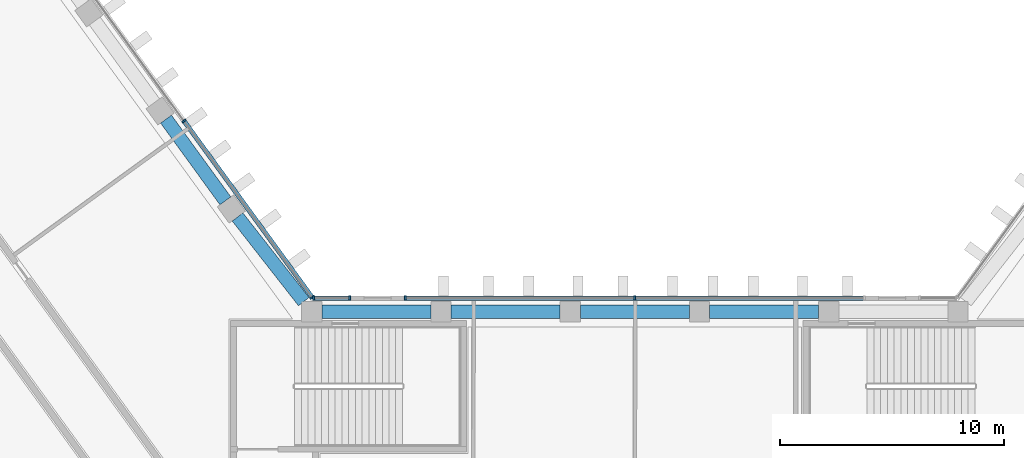
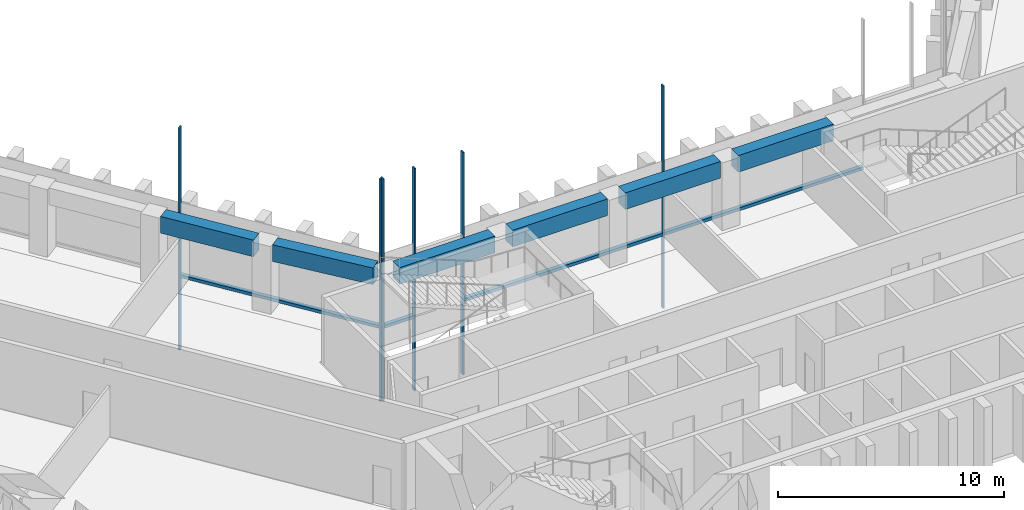
# One storey, part 3 of 18: 10 members, 6 beams, 3 elements without a shape of their own.
"""IFC4 building model written with IfcOpenShell, lengths in metres."""

from ifc_helpers import new_model, si_unit, direction, frame, origin, origin_2d, place, context, subcontext, project, spatial, rectangle, extrude, material, material_profile, profile_set, type_object, element, aggregate, save


model = new_model("IFC4")

# Units and contexts
model_context = context("Model", 3, precision=1e-05, world=origin(), true_north=direction((0.0, 1.0)))
body_context = subcontext(model_context, "Body", "Model", "MODEL_VIEW")
ifc_project = project(units=[si_unit("LENGTHUNIT", "METRE"), si_unit("AREAUNIT", "SQUARE_METRE"), si_unit("VOLUMEUNIT", "CUBIC_METRE"), si_unit("PLANEANGLEUNIT", "RADIAN"), si_unit("MASSUNIT", "GRAM", prefix="KILO")], contexts=[model_context])

# Site, building, storey
site_placement = place(None, origin())
site = spatial("IfcSite", under=ifc_project, at=site_placement, CompositionType="ELEMENT")
building_placement = place(site_placement, origin())
building = spatial("IfcBuilding", under=site, at=building_placement, Name="Quipu Civic Tower", CompositionType="ELEMENT")
storey_placement = place(building_placement, frame((0.0, 0.0, 71.0)))
storey = spatial("IfcBuildingStorey", under=building, at=storey_placement, Name="L16", CompositionType="ELEMENT", Elevation=71.0)

# Curtain wall, members
ifc_material_1 = material(Name="Insulated glass unit", Category="glass")
curtain_wall_type = type_object("IfcCurtainWallType", Name="Office curtain wall CW1", PredefinedType="NOTDEFINED", material=ifc_material_1)
curtain_wall_1_placement = place(storey_placement, origin())
curtain_wall_1 = element("IfcCurtainWall", 1, at=curtain_wall_1_placement, inside=storey, type_object=curtain_wall_type, Name="Office curtain wall CW1 L15 run 1", PredefinedType="NOTDEFINED")
ifc_material_2 = material(Name="Anodised aluminium", Category="aluminium")
ifc_material_profile_1 = material_profile(ifc_material_2, rectangle(XDim=0.199951171875, YDim=0.080078125, at=origin_2d()), Name="RECT 200x80")
ifc_profile_set_1 = profile_set([ifc_material_profile_1], Name="Anodised aluminium")
member_type_1 = type_object("IfcMemberType", Name="Mullion CW1", PredefinedType="MULLION", material=ifc_profile_set_1)
member_1_placement = place(storey_placement, frame((-14.36767578125, 11.13232421875, -3.919921875), z_axis=(0.0, 0.0, 1.0), x_axis=(-0.809016532822, -0.587785887566, 0.0)))
member_1 = element("IfcMember", 2, at=member_1_placement, type_object=member_type_1, Name="CW1 mullion 1", PredefinedType="MULLION", context=body_context, shape_type="SweptSolid", body=[
    extrude(rectangle(XDim=0.199951171875, YDim=0.080078125, at=origin_2d()), origin(), (0.0, 0.0, 1.0), 12.0),
])
member_2_placement = place(storey_placement, frame((-20.08154296875, 18.996826171875, -3.919921875), z_axis=(0.0, 0.0, 1.0), x_axis=(-0.809016532822, -0.587785887566, 0.0)))
member_2 = element("IfcMember", 3, at=member_2_placement, type_object=member_type_1, Name="CW1 mullion 2", PredefinedType="MULLION", context=body_context, shape_type="SweptSolid", body=[
    extrude(rectangle(XDim=0.199951171875, YDim=0.080078125, at=origin_2d()), origin(), (0.0, 0.0, 1.0), 12.0),
])

curtain_wall_2_placement = place(storey_placement, origin())
curtain_wall_2 = element("IfcCurtainWall", 4, at=curtain_wall_2_placement, inside=storey, type_object=curtain_wall_type, Name="Office curtain wall CW1 L15 run 33", PredefinedType="NOTDEFINED")
member_3_placement = place(storey_placement, frame((0.0, 11.10009765625, -3.919921875), z_axis=(0.0, 0.0, 1.0), x_axis=(0.0, -1.0, 0.0)))
member_3 = element("IfcMember", 5, at=member_3_placement, type_object=member_type_1, Name="CW1 mullion 2", PredefinedType="MULLION", context=body_context, shape_type="SweptSolid", body=[
    extrude(rectangle(XDim=0.199951171875, YDim=0.080078125, at=origin_2d()), origin(), (0.0, 0.0, 1.0), 12.0),
])
member_4_placement = place(storey_placement, frame((-10.223388671875, 11.10009765625, -3.919921875), z_axis=(0.0, 0.0, 1.0), x_axis=(0.0, -1.0, 0.0)))
member_4 = element("IfcMember", 6, at=member_4_placement, type_object=member_type_1, Name="CW1 mullion 3", PredefinedType="MULLION", context=body_context, shape_type="SweptSolid", body=[
    extrude(rectangle(XDim=0.199951171875, YDim=0.080078125, at=origin_2d()), origin(), (0.0, 0.0, 1.0), 12.0),
])

curtain_wall_3_placement = place(storey_placement, origin())
curtain_wall_3 = element("IfcCurtainWall", 7, at=curtain_wall_3_placement, inside=storey, type_object=curtain_wall_type, Name="Office curtain wall CW1 L15 run 35", PredefinedType="NOTDEFINED")
member_5_placement = place(storey_placement, frame((-12.695068359375, 11.10009765625, -3.919921875), z_axis=(0.0, 0.0, 1.0), x_axis=(0.0, -1.0, 0.0)))
member_5 = element("IfcMember", 8, at=member_5_placement, type_object=member_type_1, Name="CW1 mullion 1", PredefinedType="MULLION", context=body_context, shape_type="SweptSolid", body=[
    extrude(rectangle(XDim=0.199951171875, YDim=0.080078125, at=origin_2d()), origin(), (0.0, 0.0, 1.0), 12.0),
])
member_6_placement = place(storey_placement, frame((-14.30419921875, 11.10009765625, -3.919921875), z_axis=(0.0, 0.0, 1.0), x_axis=(0.0, -1.0, 0.0)))
member_6 = element("IfcMember", 9, at=member_6_placement, type_object=member_type_1, Name="CW1 mullion 2", PredefinedType="MULLION", context=body_context, shape_type="SweptSolid", body=[
    extrude(rectangle(XDim=0.199951171875, YDim=0.080078125, at=origin_2d()), origin(), (0.0, 0.0, 1.0), 12.0),
])

# Beams
ifc_material_3 = material(Name="Concrete C50/60", Category="concrete")
ifc_material_profile_2 = material_profile(ifc_material_3, rectangle(XDim=0.60009765625, YDim=0.89990234375, at=origin_2d()), Name="RC600x900")
ifc_profile_set_2 = profile_set([ifc_material_profile_2], Name="Concrete C50/60")
beam_type = type_object("IfcBeamType", Name="Spandrel beam RC 600x900 C50/60", PredefinedType="SPANDREL", material=ifc_profile_set_2)
beam_1_placement = place(storey_placement, frame((-18.238037109375, 15.43896484375, 3.199951171875), z_axis=(-0.587716763865, 0.809066749701, 0.0), x_axis=(-0.809066749701, -0.587716763865, 0.0)))
element("IfcBeam", 10, at=beam_1_placement, inside=storey, type_object=beam_type, Name="Spandrel beam L16 W-IN-01 to W-IN-02", PredefinedType="SPANDREL", context=body_context, shape_type="SweptSolid", body=[
    extrude(rectangle(XDim=0.60009765625, YDim=0.89990234375, at=origin_2d()), origin(), (0.0, 0.0, 1.0), 4.5),
])
for number, where, z_axis, x_axis, name in (
    (11, (8.18701171875, 10.5, 3.199951171875), (-1.0, 0.0, 0.0), (0.0, -1.0, 0.0), "Spandrel beam L16 FRONT-01 to FRONT-02"),
    (12, (2.428955078125, 10.5, 3.199951171875), (-1.0, 0.0, 0.0), (0.0, -1.0, 0.0), "Spandrel beam L16 FRONT-02 to FRONT-03"),
    (13, (-3.3291015625, 10.5, 3.199951171875), (-1.0, 0.0, 0.0), (0.0, -1.0, 0.0), "Spandrel beam L16 FRONT-03 to FRONT-04"),
):
    element("IfcBeam", number, at=place(storey_placement, frame(where, z_axis=z_axis, x_axis=x_axis)), inside=storey, type_object=beam_type, Name=name, PredefinedType="SPANDREL", context=body_context, shape_type="SweptSolid", body=[
        extrude(rectangle(XDim=0.60009765625, YDim=0.89990234375, at=origin_2d()), origin(), (0.0, 0.0, 1.0), 4.85791015625),
    ])
beam_2_placement = place(storey_placement, frame((-9.087158203125, 10.5, 3.199951171875), z_axis=(-1.0, 0.0, 0.0), x_axis=(0.0, -1.0, 0.0)))
element("IfcBeam", 14, at=beam_2_placement, inside=storey, type_object=beam_type, Name="Spandrel beam L16 FRONT-04 to J-Wi.0", PredefinedType="SPANDREL", context=body_context, shape_type="SweptSolid", body=[
    extrude(rectangle(XDim=0.60009765625, YDim=0.89990234375, at=origin_2d()), origin(), (0.0, 0.0, 1.0), 4.858154296875),
])
beam_3_placement = place(storey_placement, frame((-14.7470703125, 10.949951171875, 3.199951171875), z_axis=(-0.616123961998, 0.787649200756, 0.0), x_axis=(-0.787649200756, -0.616123961998, 0.0)))
element("IfcBeam", 15, at=beam_3_placement, inside=storey, type_object=beam_type, Name="Spandrel beam L16 J-Wi.0 to W-IN-01", PredefinedType="SPANDREL", context=body_context, shape_type="SweptSolid", body=[
    extrude(rectangle(XDim=0.60009765625, YDim=0.89990234375, at=origin_2d()), origin(), (0.0, 0.0, 1.0), 4.78662109375),
])

# Member
ifc_material_4 = material(Name="Anodised aluminium", Category="aluminium")
ifc_material_profile_3 = material_profile(ifc_material_4, rectangle(XDim=0.199951171875, YDim=0.159912109375, at=origin_2d()), Name="RECT 200x160")
ifc_profile_set_3 = profile_set([ifc_material_profile_3], Name="Anodised aluminium")
member_type_2 = type_object("IfcMemberType", Name="Transom CW1", PredefinedType="USERDEFINED", material=ifc_profile_set_3)
member_7_placement = place(storey_placement, frame((-14.39111328125, 11.164794921875, 0.080078125), z_axis=(-0.58779220199, 0.809011945079, 0.0), x_axis=(-0.809011945079, -0.58779220199, 0.0)))
member_7 = element("IfcMember", 16, at=member_7_placement, type_object=member_type_2, Name="CW1 transom 1.2", ObjectType="TRANSOM", PredefinedType="USERDEFINED", context=body_context, shape_type="SweptSolid", body=[
    extrude(rectangle(XDim=0.199951171875, YDim=0.159912109375, at=origin_2d()), origin(), (0.0, 0.0, 1.0), 9.64111328125),
])

aggregate(curtain_wall_1, [member_1, member_2, member_7])

member_8_placement = place(storey_placement, frame((10.18359375, 11.10009765625, 0.080078125), z_axis=(-1.0, 0.0, 0.0), x_axis=(0.0, -1.0, 0.0)))
member_8 = element("IfcMember", 17, at=member_8_placement, type_object=member_type_2, Name="CW1 transom 1.2", ObjectType="TRANSOM", PredefinedType="USERDEFINED", context=body_context, shape_type="SweptSolid", body=[
    extrude(rectangle(XDim=0.199951171875, YDim=0.159912109375, at=origin_2d()), origin(), (0.0, 0.0, 1.0), 10.1435546875),
])

member_9_placement = place(storey_placement, frame((-0.0400390625, 11.10009765625, 0.080078125), z_axis=(-1.0, 0.0, 0.0), x_axis=(0.0, -1.0, 0.0)))
member_9 = element("IfcMember", 18, at=member_9_placement, type_object=member_type_2, Name="CW1 transom 2.2", ObjectType="TRANSOM", PredefinedType="USERDEFINED", context=body_context, shape_type="SweptSolid", body=[
    extrude(rectangle(XDim=0.199951171875, YDim=0.159912109375, at=origin_2d()), origin(), (0.0, 0.0, 1.0), 10.1435546875),
])

aggregate(curtain_wall_2, [member_3, member_4, member_8, member_9])

member_10_placement = place(storey_placement, frame((-12.735107421875, 11.10009765625, 0.080078125), z_axis=(-1.0, 0.0, 0.0), x_axis=(0.0, -1.0, 0.0)))
member_10 = element("IfcMember", 19, at=member_10_placement, type_object=member_type_2, Name="CW1 transom 1.2", ObjectType="TRANSOM", PredefinedType="USERDEFINED", context=body_context, shape_type="SweptSolid", body=[
    extrude(rectangle(XDim=0.199951171875, YDim=0.159912109375, at=origin_2d()), origin(), (0.0, 0.0, 1.0), 1.529052734375),
])

aggregate(curtain_wall_3, [member_5, member_6, member_10])

save(model, "model.ifc")
